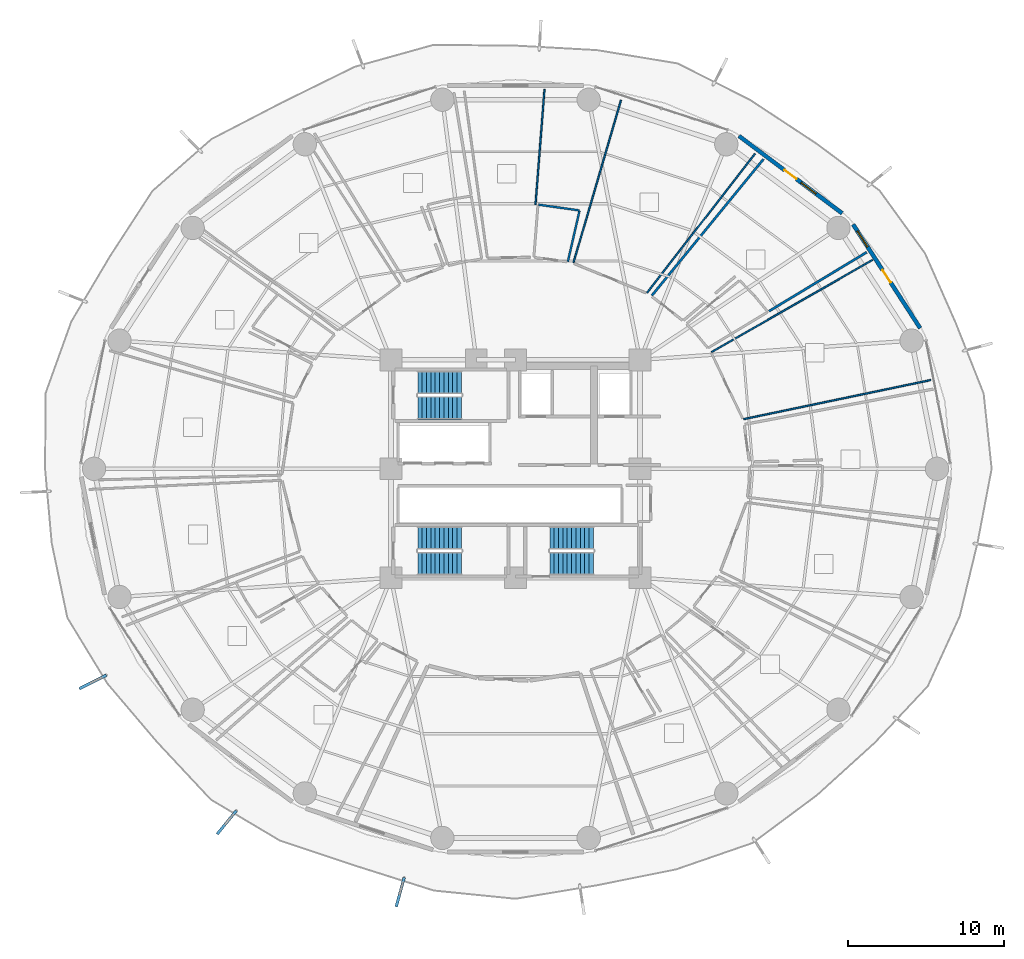
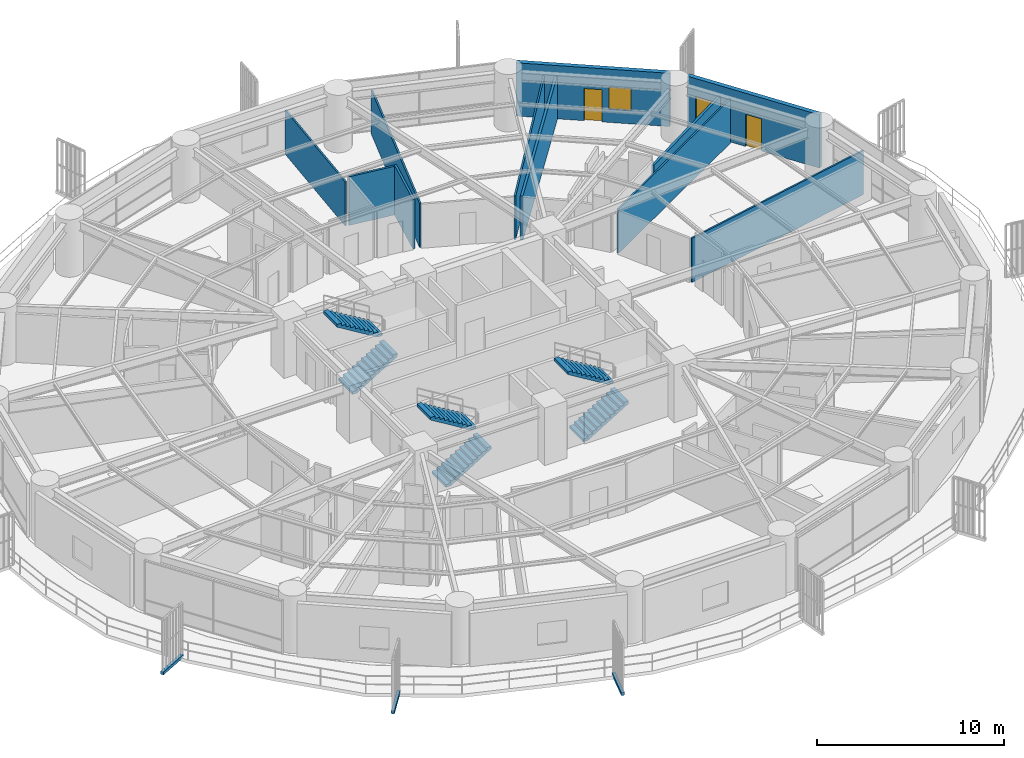
# One storey, part 27 of 33: 11 walls, 6 stair flights, 3 discrete accessories, 2 doors, 2 windows, 4 openings, 3 elements without a shape of their own.
"""IFC4 building model written with IfcOpenShell, lengths in metres."""

from ifc_helpers import new_model, si_unit, direction, frame, frame_2d, origin, origin_2d, place, context, subcontext, project, spatial, polyline, rectangle, outline, extrude, source, transform, mapped, material, layer, layer_set, type_object, element, fill, aggregate, save


model = new_model("IFC4")

# Units and contexts
model_context = context("Model", 3, precision=1e-05, world=origin(), true_north=direction((0.0, 1.0)))
body_context = subcontext(model_context, "Body", "Model", "MODEL_VIEW")
ifc_project = project(units=[si_unit("LENGTHUNIT", "METRE"), si_unit("AREAUNIT", "SQUARE_METRE"), si_unit("VOLUMEUNIT", "CUBIC_METRE"), si_unit("PLANEANGLEUNIT", "RADIAN"), si_unit("MASSUNIT", "GRAM", prefix="KILO")], contexts=[model_context])

# Site, building, storey
site_placement = place(None, origin())
site = spatial("IfcSite", under=ifc_project, at=site_placement, CompositionType="ELEMENT")
building_placement = place(site_placement, origin())
building = spatial("IfcBuilding", under=site, at=building_placement, Name="Kelanora Arch Commons", CompositionType="ELEMENT")
storey_placement = place(building_placement, frame((0.0, 0.0, 37.5)))
storey = spatial("IfcBuildingStorey", under=building, at=storey_placement, Name="L09", CompositionType="ELEMENT", Elevation=37.5)

# Walls
ifc_material_1 = material(Name="Autoclaved aerated concrete blockwork with fire plaster", Category="masonry")
ifc_layer_1 = layer(ifc_material_1, 0.14990234375)
ifc_layer_set_1 = layer_set([ifc_layer_1], Name="Autoclaved aerated concrete blockwork with fire plaster")
wall_type_1 = type_object("IfcWallType", Name="W-COMP-150", PredefinedType="PARTITIONING", material=ifc_layer_set_1)
wall_1_placement = place(storey_placement, frame((82.75341796875, 69.126953125, 0.0), z_axis=(0.0, 0.0, 1.0), x_axis=(0.633350378952, 0.773865167508, 0.0)))
element("IfcWall", 1, at=wall_1_placement, inside=storey, type_object=wall_type_1, Name="Co-Living Studio L09-06 Enclosure Partition 2", PredefinedType="PARTITIONING", context=body_context, shape_type="SweptSolid", body=[
    extrude(rectangle(XDim=11.335205078125, YDim=0.14990234375, at=frame_2d((5.66748046875, 0.0))), origin(), (0.0, 0.0, 1.0), 2.875),
])
wall_2_placement = place(storey_placement, frame((96.558837890625, 71.915283203125, 0.0), z_axis=(0.0, 0.0, 1.0), x_axis=(-0.856200610964, -0.516643507444, 0.0)))
element("IfcWall", 2, at=wall_2_placement, inside=storey, type_object=wall_type_1, Name="Co-Living Studio L09-06 Enclosure Partition 5", PredefinedType="PARTITIONING", context=body_context, shape_type="SweptSolid", body=[
    extrude(rectangle(XDim=7.3330078125, YDim=0.14990234375, at=frame_2d((3.66650390625, 0.0))), origin(), (0.0, 0.0, 1.0), 2.875),
])

# Wall, openings, door, window
ifc_material_2 = material(Name="Precast concrete C40/50 with terracotta rainscreen", Category="masonry")
ifc_layer_2 = layer(ifc_material_2, 0.260009765625)
ifc_layer_set_2 = layer_set([ifc_layer_2], Name="Precast concrete C40/50 with terracotta rainscreen")
wall_type_2 = type_object("IfcWallType", Name="W-EXT-TC", PredefinedType="SOLIDWALL", material=ifc_layer_set_2)
wall_3_placement = place(storey_placement, frame((99.999267578125, 67.033203125, 0.0), z_axis=(0.0, 0.0, 1.0), x_axis=(-0.543005114258, 0.839729388488, 0.0)))
wall_3 = element("IfcWall", 3, at=wall_3_placement, inside=storey, type_object=wall_type_2, Name="Terracotta Exterior Wall L09-B01", PredefinedType="SOLIDWALL", context=body_context, shape_type="SweptSolid", body=[
    extrude(rectangle(XDim=7.9375, YDim=0.260009765625, at=frame_2d((3.96875, 0.0))), origin(), (0.0, 0.0, 1.0), 3.47509765625),
])
opening_1_placement = place(wall_3_placement, frame((3.493896484375, 0.0, 0.0)))
opening_1 = element("IfcOpeningElement", 4, at=opening_1_placement, cuts=wall_3, Name="Opening DB-01", PredefinedType="OPENING", context=body_context, shape_type="SweptSolid", body=[
    extrude(rectangle(XDim=0.949951171875, YDim=2.10009765625, at=frame_2d((0.47509765625, 1.050048828125))), frame((0.0, 0.14013671875, 0.0), z_axis=(0.0, -1.0, 0.0), x_axis=(1.0, 0.0, 0.0)), (0.0, 0.0, 1.0), 0.280029296875),
])
opening_2_placement = place(wall_3_placement, frame((6.23388671875, 0.0, 0.85009765625)))
opening_2 = element("IfcOpeningElement", 5, at=opening_2_placement, cuts=wall_3, Name="Opening WN-02", PredefinedType="OPENING", context=body_context, shape_type="SweptSolid", body=[
    extrude(rectangle(XDim=1.199951171875, YDim=1.449951171875, at=frame_2d((0.60009765625, 0.72509765625))), frame((0.0, 0.14013671875, 0.0), z_axis=(0.0, -1.0, 0.0), x_axis=(1.0, 0.0, 0.0)), (0.0, 0.0, 1.0), 0.280029296875),
])
ifc_material_3 = material(Name="Terracotta-aluminium thermally broken glazed balcony door", Category="masonry")
door_type = type_object("IfcDoorType", Name="D-BAL-10", OperationType="NOTDEFINED", PredefinedType="DOOR", material=ifc_material_3)
door_1_placement = place(opening_1_placement, frame((0.949951171875, 0.0, 0.0), z_axis=(0.0, 0.0, 1.0), x_axis=(-1.0, 0.0, 0.0)))
door_1 = element("IfcDoor", 6, at=door_1_placement, inside=storey, type_object=door_type, Name="Wave Balcony Door L09-B01", OperationType="SINGLE_SWING_LEFT", OverallHeight=2.10009765625, OverallWidth=0.949951171875, PredefinedType="DOOR", context=body_context, shape_type="SweptSolid", body=[
    extrude(rectangle(XDim=0.949951171875, YDim=2.10009765625, at=frame_2d((0.47509765625, 1.050048828125))), frame((0.0, 0.02490234375, 0.0), z_axis=(0.0, -1.0, 0.0), x_axis=(1.0, 0.0, 0.0)), (0.0, 0.0, 1.0), 0.050048828125),
])
fill(opening_1, door_1)
ifc_material_4 = material(Name="Terracotta-anodised aluminium frame with operable awning sash", Category="masonry")
window_type = type_object("IfcWindowType", Name="WIN-CL-12", PartitioningType="SINGLE_PANEL", PredefinedType="WINDOW", material=ifc_material_4)
window_1_placement = place(opening_2_placement, origin())
window_1 = element("IfcWindow", 7, at=window_1_placement, inside=storey, type_object=window_type, Name="Co-Living Operable Window L09-B01", OverallHeight=1.449951171875, OverallWidth=1.199951171875, PartitioningType="SINGLE_PANEL", PredefinedType="WINDOW", context=body_context, shape_type="SweptSolid", body=[
    extrude(rectangle(XDim=1.199951171875, YDim=1.449951171875, at=frame_2d((0.60009765625, 0.72509765625))), frame((0.0, 0.030029296875, 0.0), z_axis=(0.0, -1.0, 0.0), x_axis=(1.0, 0.0, 0.0)), (0.0, 0.0, 1.0), 0.06005859375),
])
fill(opening_2, window_1)

wall_4_placement = place(storey_placement, frame((94.98388671875, 74.418212890625, 0.0), z_axis=(0.0, 0.0, 1.0), x_axis=(-0.80030733173, 0.599590005569, 0.0)))
wall_4 = element("IfcWall", 8, at=wall_4_placement, inside=storey, type_object=wall_type_2, Name="Terracotta Exterior Wall L09-B02", PredefinedType="SOLIDWALL", context=body_context, shape_type="SweptSolid", body=[
    extrude(rectangle(XDim=8.29052734375, YDim=0.260009765625, at=frame_2d((4.145263671875, 0.0))), origin(), (0.0, 0.0, 1.0), 3.47509765625),
])
opening_3_placement = place(wall_4_placement, frame((3.669921875, 0.0, 0.0)))
opening_3 = element("IfcOpeningElement", 9, at=opening_3_placement, cuts=wall_4, Name="Opening DB-01", PredefinedType="OPENING", context=body_context, shape_type="SweptSolid", body=[
    extrude(rectangle(XDim=0.949951171875, YDim=2.10009765625, at=frame_2d((0.47509765625, 1.050048828125))), frame((0.0, 0.14013671875, 0.0), z_axis=(0.0, -1.0, 0.0), x_axis=(1.0, 0.0, 0.0)), (0.0, 0.0, 1.0), 0.280029296875),
])
opening_4_placement = place(wall_4_placement, frame((2.090087890625, 0.0, 0.85009765625)))
opening_4 = element("IfcOpeningElement", 10, at=opening_4_placement, cuts=wall_4, Name="Opening WN-02", PredefinedType="OPENING", context=body_context, shape_type="SweptSolid", body=[
    extrude(rectangle(XDim=1.199951171875, YDim=1.449951171875, at=frame_2d((0.60009765625, 0.72509765625))), frame((0.0, 0.14013671875, 0.0), z_axis=(0.0, -1.0, 0.0), x_axis=(1.0, 0.0, 0.0)), (0.0, 0.0, 1.0), 0.280029296875),
])
door_2_placement = place(opening_3_placement, frame((0.949951171875, 0.0, 0.0), z_axis=(0.0, 0.0, 1.0), x_axis=(-1.0, 0.0, 0.0)))
door_2 = element("IfcDoor", 11, at=door_2_placement, inside=storey, type_object=door_type, Name="Wave Balcony Door L09-B02", OperationType="SINGLE_SWING_RIGHT", OverallHeight=2.10009765625, OverallWidth=0.949951171875, PredefinedType="DOOR", context=body_context, shape_type="SweptSolid", body=[
    extrude(rectangle(XDim=0.949951171875, YDim=2.10009765625, at=frame_2d((0.47509765625, 1.050048828125))), frame((0.0, 0.02490234375, 0.0), z_axis=(0.0, -1.0, 0.0), x_axis=(1.0, 0.0, 0.0)), (0.0, 0.0, 1.0), 0.050048828125),
])
fill(opening_3, door_2)
window_2_placement = place(opening_4_placement, origin())
window_2 = element("IfcWindow", 12, at=window_2_placement, inside=storey, type_object=window_type, Name="Co-Living Operable Window L09-B02", OverallHeight=1.449951171875, OverallWidth=1.199951171875, PartitioningType="SINGLE_PANEL", PredefinedType="WINDOW", context=body_context, shape_type="SweptSolid", body=[
    extrude(rectangle(XDim=1.199951171875, YDim=1.449951171875, at=frame_2d((0.60009765625, 0.72509765625))), frame((0.0, 0.030029296875, 0.0), z_axis=(0.0, -1.0, 0.0), x_axis=(1.0, 0.0, 0.0)), (0.0, 0.0, 1.0), 0.06005859375),
])
fill(opening_4, window_2)

# Walls
ifc_material_5 = material(Name="Lightweight fire-rated acoustic stud partition")
ifc_layer_3 = layer(ifc_material_5, 0.10009765625)
ifc_layer_set_3 = layer_set([ifc_layer_3], Name="Lightweight fire-rated acoustic stud partition")
wall_type_3 = type_object("IfcWallType", Name="W-PART-100", PredefinedType="PARTITIONING", material=ifc_layer_set_3)
wall_5_placement = place(storey_placement, frame((86.5966796875, 65.5029296875, 0.0), z_axis=(0.0, 0.0, 1.0), x_axis=(0.867860677455, 0.496807653451, 0.0)))
element("IfcWall", 13, at=wall_5_placement, inside=storey, type_object=wall_type_3, Name="Social Sky Lounge L09-05 Enclosure Partition 2", PredefinedType="PARTITIONING", context=body_context, shape_type="SweptSolid", body=[
    extrude(rectangle(XDim=11.910400390625, YDim=0.10009765625, at=frame_2d((5.955078125, 0.0))), origin(), (0.0, 0.0, 1.0), 2.875),
])
wall_6_placement = place(storey_placement, frame((100.681884765625, 63.706787109375, 0.0), z_axis=(0.0, 0.0, 1.0), x_axis=(-0.978803686819, -0.204800738937, 0.0)))
element("IfcWall", 14, at=wall_6_placement, inside=storey, type_object=wall_type_3, Name="Social Sky Lounge L09-05 Enclosure Partition 4", PredefinedType="PARTITIONING", context=body_context, shape_type="SweptSolid", body=[
    extrude(rectangle(XDim=12.2880859375, YDim=0.10009765625, at=frame_2d((6.14404296875, 0.0))), origin(), (0.0, 0.0, 1.0), 2.875),
])
wall_7_placement = place(storey_placement, frame((77.72314453125, 71.246337890625, 0.0), z_axis=(0.0, 0.0, 1.0), x_axis=(0.280805949977, 0.959764564077, 0.0)))
element("IfcWall", 15, at=wall_7_placement, inside=storey, type_object=wall_type_3, Name="Quiet Seminar Study Room L09-07 Enclosure Partition 2", PredefinedType="PARTITIONING", context=body_context, shape_type="SweptSolid", body=[
    extrude(rectangle(XDim=10.874755859375, YDim=0.10009765625, at=frame_2d((5.4375, 0.0))), origin(), (0.0, 0.0, 1.0), 2.875),
])
wall_8_placement = place(storey_placement, frame((89.381591796875, 78.239501953125, 0.0), z_axis=(0.0, 0.0, 1.0), x_axis=(-0.613494694267, -0.789698841398, 0.0)))
element("IfcWall", 16, at=wall_8_placement, inside=storey, type_object=wall_type_3, Name="Quiet Seminar Study Room L09-07 Enclosure Partition 4", PredefinedType="PARTITIONING", context=body_context, shape_type="SweptSolid", body=[
    extrude(rectangle(XDim=11.2978515625, YDim=0.10009765625, at=frame_2d((5.64892578125, 0.0))), origin(), (0.0, 0.0, 1.0), 2.875),
])
wall_9_placement = place(storey_placement, frame((75.85986328125, 82.384033203125, 0.0), z_axis=(0.0, 0.0, 1.0), x_axis=(-0.077713284576, -0.996975749655, 0.0)))
element("IfcWall", 17, at=wall_9_placement, inside=storey, type_object=wall_type_3, Name="Tutorial Study Alcove L09-08 Enclosure Partition 4", PredefinedType="PARTITIONING", context=body_context, shape_type="SweptSolid", body=[
    extrude(rectangle(XDim=7.43603515625, YDim=0.10009765625, at=frame_2d((3.718017578125, 0.0))), origin(), (0.0, 0.0, 1.0), 2.875),
])
ifc_material_6 = material(Name="Moisture-resistant fire-rated cement-board plumbing wall")
ifc_layer_4 = layer(ifc_material_6, 0.1298828125)
ifc_layer_set_4 = layer_set([ifc_layer_4], Name="Moisture-resistant fire-rated cement-board plumbing wall")
wall_type_4 = type_object("IfcWallType", Name="W-WET-120", PredefinedType="PLUMBINGWALL", material=ifc_layer_set_4)
wall_10_placement = place(storey_placement, frame((75.4619140625, 74.97509765625, 0.0), z_axis=(0.0, 0.0, 1.0), x_axis=(0.990145060781, -0.140045559051, 0.0)))
element("IfcWall", 18, at=wall_10_placement, inside=storey, type_object=wall_type_4, Name="Accessible Shared Floor WC L09-08 Enclosure Partition 3", PredefinedType="PLUMBINGWALL", context=body_context, shape_type="SweptSolid", body=[
    extrude(rectangle(XDim=2.658447265625, YDim=0.1298828125, at=frame_2d((1.3291015625, 0.0))), origin(), (0.0, 0.0, 1.0), 3.175048828125),
])
wall_11_placement = place(storey_placement, frame((78.109619140625, 74.58056640625, 0.0), z_axis=(0.0, 0.0, 1.0), x_axis=(-0.223219382096, -0.974768232688, 0.0)))
element("IfcWall", 19, at=wall_11_placement, inside=storey, type_object=wall_type_4, Name="Accessible Shared Floor WC L09-08 Enclosure Partition 4", PredefinedType="PLUMBINGWALL", context=body_context, shape_type="SweptSolid", body=[
    extrude(rectangle(XDim=3.35986328125, YDim=0.1298828125, at=frame_2d((1.679931640625, 0.0))), origin(), (0.0, 0.0, 1.0), 3.235107421875),
])

# Stair, stair flights
ifc_material_7 = material(Name="Concrete C40/50", Category="concrete")
stair_type = type_object("IfcStairType", Name="STR-DL-375", PredefinedType="HALF_TURN_STAIR", material=ifc_material_7)
stair_1_placement = place(storey_placement, origin())
stair_1 = element("IfcStair", 20, at=stair_1_placement, inside=storey, type_object=stair_type, Name="L09 ST-T1", PredefinedType="HALF_TURN_STAIR")
stair_flight_type = type_object("IfcStairFlightType", Name="FLT-DL-375", PredefinedType="STRAIGHT", material=ifc_material_7)
stair_flight_1_placement = place(storey_placement, frame((67.719970703125, 61.919921875, 0.0), z_axis=(0.0, 0.0, 1.0), x_axis=(1.0, 0.0, 0.0)))
stair_flight_1 = element("IfcStairFlight", 21, at=stair_flight_1_placement, type_object=stair_flight_type, Name="ST-T1 flight 1", NumberOfRisers=11, NumberOfTreads=10, PredefinedType="STRAIGHT", RiserHeight=0.170454545, TreadLength=0.28, context=body_context, shape_type="SweptSolid", body=[
    extrude(outline(polyline([(0.0, 0.0), (0.0, 0.17041015625), (0.280029296875, 0.17041015625), (0.280029296875, 0.3408203125), (0.56005859375, 0.3408203125), (0.56005859375, 0.511474609375), (0.840087890625, 0.511474609375), (0.840087890625, 0.681884765625), (1.1201171875, 0.681884765625), (1.1201171875, 0.852294921875), (1.39990234375, 0.852294921875), (1.39990234375, 1.022705078125), (1.679931640625, 1.022705078125), (1.679931640625, 1.193115234375), (1.9599609375, 1.193115234375), (1.9599609375, 1.363525390625), (2.239990234375, 1.363525390625), (2.239990234375, 1.5341796875), (2.52001953125, 1.5341796875), (2.52001953125, 1.70458984375), (2.800048828125, 1.70458984375), (2.800048828125, 1.875), (2.800048828125, 1.529052734375), (0.288330078125, 0.0), (0.0, 0.0)])), frame((0.0, 0.739990234375, 0.0), z_axis=(0.0, -1.0, 0.0), x_axis=(1.0, 0.0, 0.0)), (0.0, 0.0, 1.0), 1.47998046875),
])
stair_flight_2_placement = place(storey_placement, frame((70.52001953125, 63.550048828125, 1.875), z_axis=(0.0, 0.0, 1.0), x_axis=(-1.0, 0.0, 0.0)))
stair_flight_2 = element("IfcStairFlight", 22, at=stair_flight_2_placement, type_object=stair_flight_type, Name="ST-T1 flight 2", NumberOfRisers=11, NumberOfTreads=10, PredefinedType="STRAIGHT", RiserHeight=0.170454545, TreadLength=0.28, context=body_context, shape_type="SweptSolid", body=[
    extrude(outline(polyline([(0.0, 0.0), (0.0, 0.17041015625), (0.280029296875, 0.17041015625), (0.280029296875, 0.3408203125), (0.56005859375, 0.3408203125), (0.56005859375, 0.511474609375), (0.840087890625, 0.511474609375), (0.840087890625, 0.681884765625), (1.1201171875, 0.681884765625), (1.1201171875, 0.852294921875), (1.39990234375, 0.852294921875), (1.39990234375, 1.022705078125), (1.679931640625, 1.022705078125), (1.679931640625, 1.193115234375), (1.9599609375, 1.193115234375), (1.9599609375, 1.363525390625), (2.239990234375, 1.363525390625), (2.239990234375, 1.5341796875), (2.52001953125, 1.5341796875), (2.52001953125, 1.70458984375), (2.800048828125, 1.70458984375), (2.800048828125, 1.875), (2.800048828125, 1.529052734375), (0.288330078125, 0.0), (0.0, 0.0)])), frame((0.0, 0.739990234375, 0.0), z_axis=(0.0, -1.0, 0.0), x_axis=(1.0, 0.0, 0.0)), (0.0, 0.0, 1.0), 1.47998046875),
])
aggregate(stair_1, [stair_flight_1, stair_flight_2])

stair_2_placement = place(storey_placement, origin())
stair_2 = element("IfcStair", 23, at=stair_2_placement, inside=storey, type_object=stair_type, Name="L09 ST-T2", PredefinedType="HALF_TURN_STAIR")
stair_flight_3_placement = place(storey_placement, frame((76.199951171875, 51.919921875, 0.0), z_axis=(0.0, 0.0, 1.0), x_axis=(1.0, 0.0, 0.0)))
stair_flight_3 = element("IfcStairFlight", 24, at=stair_flight_3_placement, type_object=stair_flight_type, Name="ST-T2 flight 1", NumberOfRisers=11, NumberOfTreads=10, PredefinedType="STRAIGHT", RiserHeight=0.170454545, TreadLength=0.28, context=body_context, shape_type="SweptSolid", body=[
    extrude(outline(polyline([(0.0, 0.0), (0.0, 0.17041015625), (0.280029296875, 0.17041015625), (0.280029296875, 0.3408203125), (0.56005859375, 0.3408203125), (0.56005859375, 0.511474609375), (0.840087890625, 0.511474609375), (0.840087890625, 0.681884765625), (1.1201171875, 0.681884765625), (1.1201171875, 0.852294921875), (1.39990234375, 0.852294921875), (1.39990234375, 1.022705078125), (1.679931640625, 1.022705078125), (1.679931640625, 1.193115234375), (1.9599609375, 1.193115234375), (1.9599609375, 1.363525390625), (2.239990234375, 1.363525390625), (2.239990234375, 1.5341796875), (2.52001953125, 1.5341796875), (2.52001953125, 1.70458984375), (2.800048828125, 1.70458984375), (2.800048828125, 1.875), (2.800048828125, 1.529052734375), (0.288330078125, 0.0), (0.0, 0.0)])), frame((0.0, 0.739990234375, 0.0), z_axis=(0.0, -1.0, 0.0), x_axis=(1.0, 0.0, 0.0)), (0.0, 0.0, 1.0), 1.47998046875),
])
stair_flight_4_placement = place(storey_placement, frame((79.0, 53.550048828125, 1.875), z_axis=(0.0, 0.0, 1.0), x_axis=(-1.0, 0.0, 0.0)))
stair_flight_4 = element("IfcStairFlight", 25, at=stair_flight_4_placement, type_object=stair_flight_type, Name="ST-T2 flight 2", NumberOfRisers=11, NumberOfTreads=10, PredefinedType="STRAIGHT", RiserHeight=0.170454545, TreadLength=0.28, context=body_context, shape_type="SweptSolid", body=[
    extrude(outline(polyline([(0.0, 0.0), (0.0, 0.17041015625), (0.280029296875, 0.17041015625), (0.280029296875, 0.3408203125), (0.56005859375, 0.3408203125), (0.56005859375, 0.511474609375), (0.840087890625, 0.511474609375), (0.840087890625, 0.681884765625), (1.1201171875, 0.681884765625), (1.1201171875, 0.852294921875), (1.39990234375, 0.852294921875), (1.39990234375, 1.022705078125), (1.679931640625, 1.022705078125), (1.679931640625, 1.193115234375), (1.9599609375, 1.193115234375), (1.9599609375, 1.363525390625), (2.239990234375, 1.363525390625), (2.239990234375, 1.5341796875), (2.52001953125, 1.5341796875), (2.52001953125, 1.70458984375), (2.800048828125, 1.70458984375), (2.800048828125, 1.875), (2.800048828125, 1.529052734375), (0.288330078125, 0.0), (0.0, 0.0)])), frame((0.0, 0.739990234375, 0.0), z_axis=(0.0, -1.0, 0.0), x_axis=(1.0, 0.0, 0.0)), (0.0, 0.0, 1.0), 1.47998046875),
])
aggregate(stair_2, [stair_flight_3, stair_flight_4])

stair_3_placement = place(storey_placement, origin())
stair_3 = element("IfcStair", 26, at=stair_3_placement, inside=storey, type_object=stair_type, Name="L09 ST-T3", PredefinedType="HALF_TURN_STAIR")
stair_flight_5_placement = place(storey_placement, frame((67.719970703125, 51.919921875, 0.0), z_axis=(0.0, 0.0, 1.0), x_axis=(1.0, 0.0, 0.0)))
stair_flight_5 = element("IfcStairFlight", 27, at=stair_flight_5_placement, type_object=stair_flight_type, Name="ST-T3 flight 1", NumberOfRisers=11, NumberOfTreads=10, PredefinedType="STRAIGHT", RiserHeight=0.170454545, TreadLength=0.28, context=body_context, shape_type="SweptSolid", body=[
    extrude(outline(polyline([(0.0, 0.0), (0.0, 0.17041015625), (0.280029296875, 0.17041015625), (0.280029296875, 0.3408203125), (0.56005859375, 0.3408203125), (0.56005859375, 0.511474609375), (0.840087890625, 0.511474609375), (0.840087890625, 0.681884765625), (1.1201171875, 0.681884765625), (1.1201171875, 0.852294921875), (1.39990234375, 0.852294921875), (1.39990234375, 1.022705078125), (1.679931640625, 1.022705078125), (1.679931640625, 1.193115234375), (1.9599609375, 1.193115234375), (1.9599609375, 1.363525390625), (2.239990234375, 1.363525390625), (2.239990234375, 1.5341796875), (2.52001953125, 1.5341796875), (2.52001953125, 1.70458984375), (2.800048828125, 1.70458984375), (2.800048828125, 1.875), (2.800048828125, 1.529052734375), (0.288330078125, 0.0), (0.0, 0.0)])), frame((0.0, 0.739990234375, 0.0), z_axis=(0.0, -1.0, 0.0), x_axis=(1.0, 0.0, 0.0)), (0.0, 0.0, 1.0), 1.47998046875),
])
stair_flight_6_placement = place(storey_placement, frame((70.52001953125, 53.550048828125, 1.875), z_axis=(0.0, 0.0, 1.0), x_axis=(-1.0, 0.0, 0.0)))
stair_flight_6 = element("IfcStairFlight", 28, at=stair_flight_6_placement, type_object=stair_flight_type, Name="ST-T3 flight 2", NumberOfRisers=11, NumberOfTreads=10, PredefinedType="STRAIGHT", RiserHeight=0.170454545, TreadLength=0.28, context=body_context, shape_type="SweptSolid", body=[
    extrude(outline(polyline([(0.0, 0.0), (0.0, 0.17041015625), (0.280029296875, 0.17041015625), (0.280029296875, 0.3408203125), (0.56005859375, 0.3408203125), (0.56005859375, 0.511474609375), (0.840087890625, 0.511474609375), (0.840087890625, 0.681884765625), (1.1201171875, 0.681884765625), (1.1201171875, 0.852294921875), (1.39990234375, 0.852294921875), (1.39990234375, 1.022705078125), (1.679931640625, 1.022705078125), (1.679931640625, 1.193115234375), (1.9599609375, 1.193115234375), (1.9599609375, 1.363525390625), (2.239990234375, 1.363525390625), (2.239990234375, 1.5341796875), (2.52001953125, 1.5341796875), (2.52001953125, 1.70458984375), (2.800048828125, 1.70458984375), (2.800048828125, 1.875), (2.800048828125, 1.529052734375), (0.288330078125, 0.0), (0.0, 0.0)])), frame((0.0, 0.739990234375, 0.0), z_axis=(0.0, -1.0, 0.0), x_axis=(1.0, 0.0, 0.0)), (0.0, 0.0, 1.0), 1.47998046875),
])
aggregate(stair_3, [stair_flight_5, stair_flight_6])

# Discrete accessories
ifc_material_8 = material(Name="Stainless steel 316 marine fin bracket", Category="steel")
discrete_accessory_type = type_object("IfcDiscreteAccessoryType", Name="ACC-FIN-BRK", PredefinedType="BRACKET", material=ifc_material_8)
shared_shape = source(origin(), body_context, "Body", "SweptSolid", [
    extrude(rectangle(XDim=1.93994140625, YDim=0.179931640625, at=origin_2d()), origin(), (0.0, 0.0, 1.0), 0.199951171875),
])
for number, where, z_axis, x_axis, name in (
    (29, (46.83984375, 44.305419921875, -0.16015625), (0.0, 0.0, 1.0), (-0.892900372813, -0.450254288408, 0.0), "Sweeping Fin Cantilever Spine Bracket L09-08"),
    (30, (55.444091796875, 35.282470703125, -0.16015625), (0.0, 0.0, 1.0), (-0.632570161913, -0.774503060199, 0.0), "Sweeping Fin Cantilever Spine Bracket L09-09"),
    (31, (66.589111328125, 30.80224609375, -0.16015625), (0.0, 0.0, 1.0), (-0.262862823299, -0.964833216741, 0.0), "Sweeping Fin Cantilever Spine Bracket L09-10"),
):
    element("IfcDiscreteAccessory", number, at=place(storey_placement, frame(where, z_axis=z_axis, x_axis=x_axis)), inside=storey, type_object=discrete_accessory_type, Name=name, PredefinedType="BRACKET", context=body_context, shape_type="MappedRepresentation", body=[
        mapped(shared_shape, transform((0.0, 0.0, 0.0), scale=1.0)),
    ])

save(model, "model.ifc")
